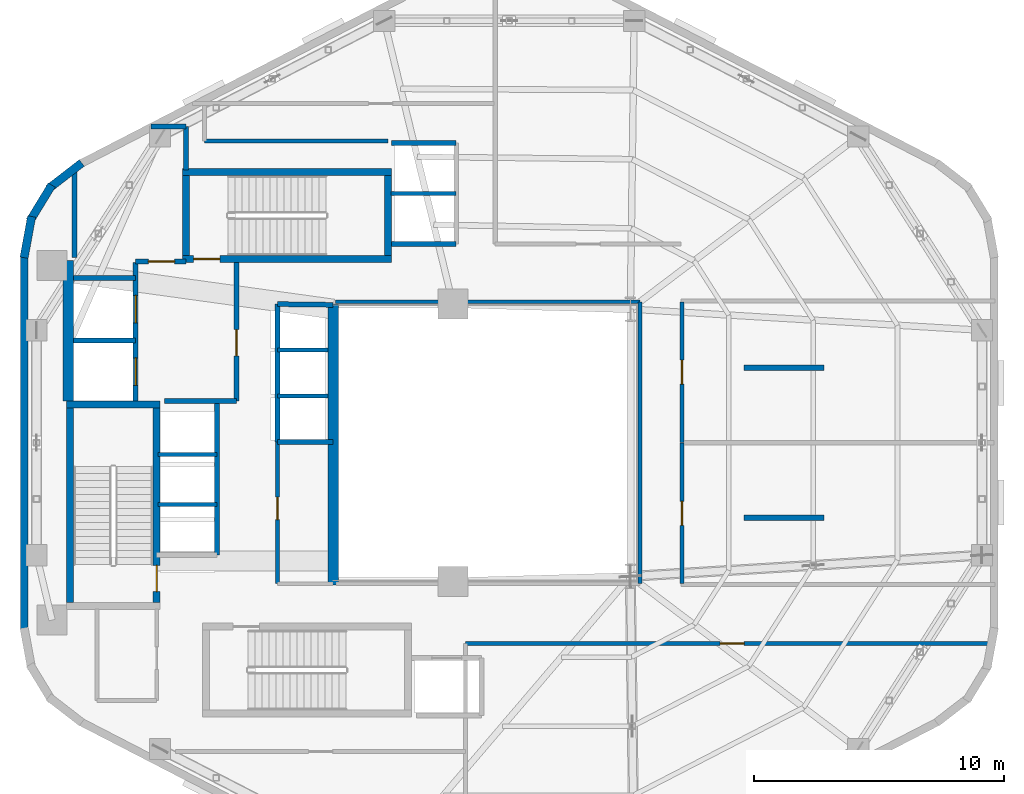
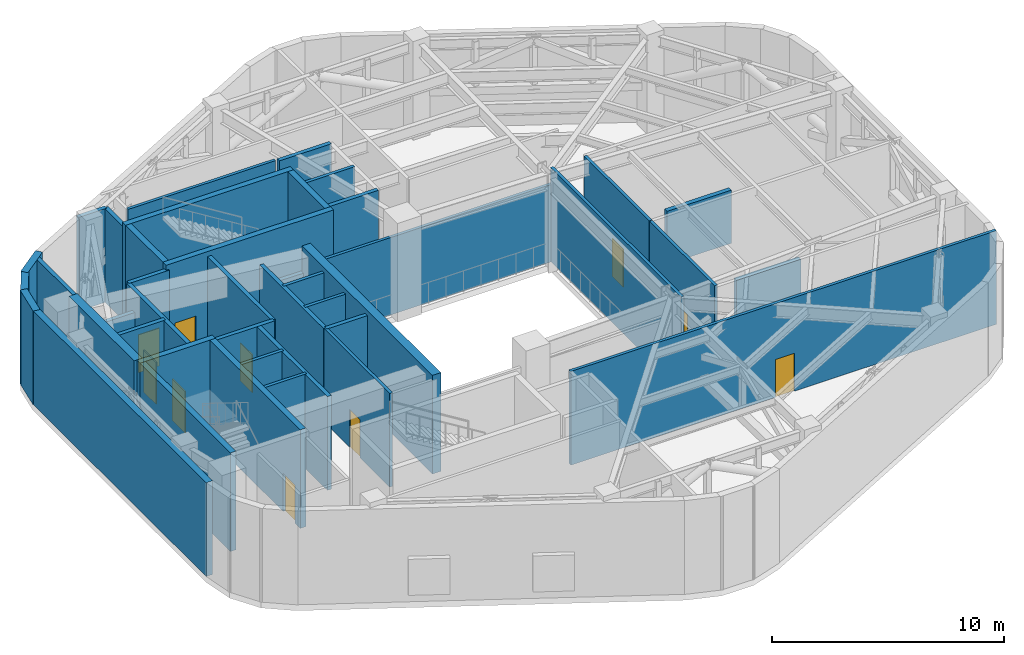
# One storey, part 7 of 10: 42 walls, 10 doors, 10 openings.
"""IFC4 building model written with IfcOpenShell, lengths in metres."""

from ifc_helpers import new_model, si_unit, direction, frame, frame_2d, origin, place, context, subcontext, project, spatial, rectangle, extrude, material, layer, layer_set, type_object, element, fill, save


model = new_model("IFC4")

# Units and contexts
model_context = context("Model", 3, precision=1e-05, world=origin(), true_north=direction((0.0, 1.0)))
body_context = subcontext(model_context, "Body", "Model", "MODEL_VIEW")
ifc_project = project(units=[si_unit("LENGTHUNIT", "METRE"), si_unit("AREAUNIT", "SQUARE_METRE"), si_unit("VOLUMEUNIT", "CUBIC_METRE"), si_unit("PLANEANGLEUNIT", "RADIAN"), si_unit("MASSUNIT", "GRAM", prefix="KILO"), si_unit("THERMODYNAMICTEMPERATUREUNIT", "KELVIN"), si_unit("POWERUNIT", "WATT")], contexts=[model_context])

# Site, building, storey
site_placement = place(None, origin())
site = spatial("IfcSite", under=ifc_project, at=site_placement, CompositionType="ELEMENT")
building_placement = place(site_placement, origin())
building = spatial("IfcBuilding", under=site, at=building_placement, Name="Skarre Station Tower", CompositionType="ELEMENT")
storey_placement = place(building_placement, frame((0.0, 0.0, 191.25)))
storey = spatial("IfcBuildingStorey", under=building, at=storey_placement, Name="L52", CompositionType="ELEMENT", Elevation=191.25)

# Wall, opening, door
ifc_material_1 = material(Name="Acoustic Steel-Stud Gypsum Partition", Category="steel")
ifc_layer_1 = layer(ifc_material_1, 0.14990234375, Name="Acoustic Steel-Stud Gypsum Partition")
ifc_layer_set_1 = layer_set([ifc_layer_1], Name="Acoustic Steel-Stud Gypsum Partition")
wall_type_1 = type_object("IfcWallType", Name="Fire-Rated Corridor Acoustic Partition 150", PredefinedType="PARTITIONING", material=ifc_layer_set_1)
wall_1_placement = place(storey_placement, frame((25.320068359375, 24.02001953125, 0.0), z_axis=(0.0, 0.0, 1.0), x_axis=(0.0, -1.0, 0.0)))
wall_1 = element("IfcWall", 1, at=wall_1_placement, inside=storey, type_object=wall_type_1, Name="L52 Interior Partition WL-PT-L52-RC1-W", PredefinedType="PARTITIONING", context=body_context, shape_type="SweptSolid", body=[
    extrude(rectangle(XDim=5.659912109375, YDim=0.14990234375, at=frame_2d((2.830078125, 0.0))), origin(), (0.0, 0.0, 1.0), 4.93994140625),
])
opening_1_placement = place(wall_1_placement, frame((2.199951171875, 0.0, 0.0)))
opening_1 = element("IfcOpeningElement", 2, at=opening_1_placement, cuts=wall_1, Name="Opening DR-SVC90", PredefinedType="OPENING", context=body_context, shape_type="SweptSolid", body=[
    extrude(rectangle(XDim=0.89990234375, YDim=2.0, at=frame_2d((0.449951171875, 1.0))), frame((0.0, 0.0849609375, 0.0), z_axis=(0.0, -1.0, 0.0), x_axis=(1.0, 0.0, 0.0)), (0.0, 0.0, 1.0), 0.169921875),
])
ifc_material_2 = material(Name="Powder-Coated Hollow-Metal Acoustic Fire Leaf", Category="steel")
door_type_1 = type_object("IfcDoorType", Name="Service & Riser Fire Door FD60 900x2100", OperationType="SINGLE_SWING_LEFT", PredefinedType="DOOR", material=ifc_material_2)
door_1_placement = place(opening_1_placement, origin())
door_1 = element("IfcDoor", 3, at=door_1_placement, inside=storey, type_object=door_type_1, Name="L52 Guest Pantry Door", OperationType="SINGLE_SWING_LEFT", OverallHeight=2.0, OverallWidth=0.89990234375, PredefinedType="DOOR", context=body_context, shape_type="SweptSolid", body=[
    extrude(rectangle(XDim=0.89990234375, YDim=2.0, at=frame_2d((0.449951171875, 1.0))), frame((0.0, 0.02490234375, 0.0), z_axis=(0.0, -1.0, 0.0), x_axis=(1.0, 0.0, 0.0)), (0.0, 0.0, 1.0), 0.050048828125),
])
fill(opening_1, door_1)

# Walls
wall_2_placement = place(storey_placement, frame((39.840087890625, 29.639892578125, 0.0), z_axis=(0.0, 0.0, 1.0), x_axis=(-1.0, 0.0, 0.0)))
element("IfcWall", 4, at=wall_2_placement, inside=storey, type_object=wall_type_1, Name="L52 Interior Partition WL-PT-L52-ATRW-N", PredefinedType="PARTITIONING", context=body_context, shape_type="SweptSolid", body=[
    extrude(rectangle(XDim=12.2001953125, YDim=0.14990234375, at=frame_2d((6.10009765625, 0.0))), origin(), (0.0, 0.0, 1.0), 4.0810546875),
])
wall_3_placement = place(storey_placement, frame((39.840087890625, 18.360107421875, 0.0), z_axis=(0.0, 0.0, 1.0), x_axis=(0.0, 1.0, 0.0)))
element("IfcWall", 5, at=wall_3_placement, inside=storey, type_object=wall_type_1, Name="L52 Interior Partition WL-PT-L52-ATRW-E", PredefinedType="PARTITIONING", context=body_context, shape_type="SweptSolid", body=[
    extrude(rectangle(XDim=11.27978515625, YDim=0.14990234375, at=frame_2d((5.639892578125, 0.0))), origin(), (0.0, 0.0, 1.0), 4.93994140625),
])

# Wall, opening, door
wall_4_placement = place(storey_placement, frame((41.52001953125, 18.360107421875, 0.0), z_axis=(0.0, 0.0, 1.0), x_axis=(0.0, 1.0, 0.0)))
wall_4 = element("IfcWall", 6, at=wall_4_placement, inside=storey, type_object=wall_type_1, Name="L52 Interior Partition WL-PT-L52-PLTE1-CW", PredefinedType="PARTITIONING", context=body_context, shape_type="SweptSolid", body=[
    extrude(rectangle(XDim=5.621826171875, YDim=0.14990234375, at=frame_2d((2.81103515625, 0.0))), origin(), (0.0, 0.0, 1.0), 4.93994140625),
])
opening_2_placement = place(wall_4_placement, frame((2.3310546875, 0.0, 0.0)))
opening_2 = element("IfcOpeningElement", 7, at=opening_2_placement, cuts=wall_4, Name="Opening DR-FD60", PredefinedType="OPENING", context=body_context, shape_type="SweptSolid", body=[
    extrude(rectangle(XDim=0.9599609375, YDim=2.0, at=frame_2d((0.47998046875, 1.0))), frame((0.0, 0.0849609375, 0.0), z_axis=(0.0, -1.0, 0.0), x_axis=(1.0, 0.0, 0.0)), (0.0, 0.0, 1.0), 0.169921875),
])
ifc_material_3 = material(Name="Nordic White-Oak Veneer Solid-Core Fire Leaf", Category="wood")
door_type_2 = type_object("IfcDoorType", Name="Corridor Suite Entry Fire Door FD60 960x2150", OperationType="SINGLE_SWING_LEFT", PredefinedType="DOOR", material=ifc_material_3)
door_2_placement = place(opening_2_placement, origin())
door_2 = element("IfcDoor", 8, at=door_2_placement, inside=storey, type_object=door_type_2, Name="L52 PLTE1 Entry Door", OperationType="SINGLE_SWING_LEFT", OverallHeight=2.0, OverallWidth=0.9599609375, PredefinedType="DOOR", context=body_context, shape_type="SweptSolid", body=[
    extrude(rectangle(XDim=0.9599609375, YDim=2.0, at=frame_2d((0.47998046875, 1.0))), frame((0.0, 0.02490234375, 0.0), z_axis=(0.0, -1.0, 0.0), x_axis=(1.0, 0.0, 0.0)), (0.0, 0.0, 1.0), 0.050048828125),
])
fill(opening_2, door_2)

wall_5_placement = place(storey_placement, frame((41.52001953125, 24.01806640625, 0.0), z_axis=(0.0, 0.0, 1.0), x_axis=(0.0, 1.0, 0.0)))
wall_5 = element("IfcWall", 9, at=wall_5_placement, inside=storey, type_object=wall_type_1, Name="L52 Interior Partition WL-PT-L52-PLTE2-CW", PredefinedType="PARTITIONING", context=body_context, shape_type="SweptSolid", body=[
    extrude(rectangle(XDim=5.621826171875, YDim=0.14990234375, at=frame_2d((2.81103515625, 0.0))), origin(), (0.0, 0.0, 1.0), 4.93994140625),
])
opening_3_placement = place(wall_5_placement, frame((2.3310546875, 0.0, 0.0)))
opening_3 = element("IfcOpeningElement", 10, at=opening_3_placement, cuts=wall_5, Name="Opening DR-FD60", PredefinedType="OPENING", context=body_context, shape_type="SweptSolid", body=[
    extrude(rectangle(XDim=0.9599609375, YDim=2.0, at=frame_2d((0.47998046875, 1.0))), frame((0.0, 0.0849609375, 0.0), z_axis=(0.0, -1.0, 0.0), x_axis=(1.0, 0.0, 0.0)), (0.0, 0.0, 1.0), 0.169921875),
])
door_3_placement = place(opening_3_placement, origin())
door_3 = element("IfcDoor", 11, at=door_3_placement, inside=storey, type_object=door_type_2, Name="L52 PLTE2 Entry Door", OperationType="SINGLE_SWING_LEFT", OverallHeight=2.0, OverallWidth=0.9599609375, PredefinedType="DOOR", context=body_context, shape_type="SweptSolid", body=[
    extrude(rectangle(XDim=0.9599609375, YDim=2.0, at=frame_2d((0.47998046875, 1.0))), frame((0.0, 0.02490234375, 0.0), z_axis=(0.0, -1.0, 0.0), x_axis=(1.0, 0.0, 0.0)), (0.0, 0.0, 1.0), 0.050048828125),
])
fill(opening_3, door_3)

wall_6_placement = place(storey_placement, frame((32.85009765625, 15.9599609375, 0.0), z_axis=(0.0, 0.0, 1.0), x_axis=(1.0, 0.0, 0.0)))
wall_6 = element("IfcWall", 12, at=wall_6_placement, inside=storey, type_object=wall_type_1, Name="L52 Interior Partition WL-PT-L52-PLTS1-CW", PredefinedType="PARTITIONING", context=body_context, shape_type="SweptSolid", body=[
    extrude(rectangle(XDim=21.212890625, YDim=0.14990234375, at=frame_2d((10.6064453125, 0.0))), origin(), (0.0, 0.0, 1.0), 4.93994140625),
])
opening_4_placement = place(wall_6_placement, frame((10.195068359375, 0.0, 0.0)))
opening_4 = element("IfcOpeningElement", 13, at=opening_4_placement, cuts=wall_6, Name="Opening DR-FD60", PredefinedType="OPENING", context=body_context, shape_type="SweptSolid", body=[
    extrude(rectangle(XDim=0.9599609375, YDim=2.0, at=frame_2d((0.47998046875, 1.0))), frame((0.0, 0.0849609375, 0.0), z_axis=(0.0, -1.0, 0.0), x_axis=(1.0, 0.0, 0.0)), (0.0, 0.0, 1.0), 0.169921875),
])
door_4_placement = place(opening_4_placement, origin())
door_4 = element("IfcDoor", 14, at=door_4_placement, inside=storey, type_object=door_type_2, Name="L52 PLTS1 Entry Door", OperationType="SINGLE_SWING_LEFT", OverallHeight=2.0, OverallWidth=0.9599609375, PredefinedType="DOOR", context=body_context, shape_type="SweptSolid", body=[
    extrude(rectangle(XDim=0.9599609375, YDim=2.0, at=frame_2d((0.47998046875, 1.0))), frame((0.0, 0.02490234375, 0.0), z_axis=(0.0, -1.0, 0.0), x_axis=(1.0, 0.0, 0.0)), (0.0, 0.0, 1.0), 0.050048828125),
])
fill(opening_4, door_4)

# Walls
wall_7_placement = place(storey_placement, frame((29.7529296875, 36.080078125, 0.0), z_axis=(0.0, 0.0, 1.0), x_axis=(-1.0, 0.0, 0.0)))
element("IfcWall", 15, at=wall_7_placement, inside=storey, type_object=wall_type_1, Name="L52 Interior Partition WL-PT-L52-CSEAL-1", PredefinedType="PARTITIONING", context=body_context, shape_type="SweptSolid", body=[
    extrude(rectangle(XDim=7.35302734375, YDim=0.14990234375, at=frame_2d((3.676513671875, 0.0))), origin(), (0.0, 0.0, 1.0), 4.93994140625),
])
ifc_material_4 = material(Name="Precast concrete C40/50", Category="concrete")
ifc_layer_2 = layer(ifc_material_4, 0.219970703125, Name="Precast concrete C40/50")
ifc_layer_set_2 = layer_set([ifc_layer_2], Name="Precast concrete C40/50")
wall_type_2 = type_object("IfcWallType", Name="Mechanical Acoustic Enclosure Wall 220", PredefinedType="SOLIDWALL", material=ifc_layer_set_2)
for number, where, z_axis, x_axis, name in (
    (16, (44.0, 21.0, 0.0), (0.0, 0.0, 1.0), (1.0, 0.0, 0.0), "L52 Chiller Acoustic Baffle Wall 1"),
    (17, (44.0, 27.0, 0.0), (0.0, 0.0, 1.0), (1.0, 0.0, 0.0), "L52 Chiller Acoustic Baffle Wall 2"),
):
    element("IfcWall", number, at=place(storey_placement, frame(where, z_axis=z_axis, x_axis=x_axis)), inside=storey, type_object=wall_type_2, Name=name, PredefinedType="SOLIDWALL", context=body_context, shape_type="SweptSolid", body=[
        extrude(rectangle(XDim=3.199951171875, YDim=0.219970703125, at=frame_2d((1.60009765625, 0.0))), origin(), (0.0, 0.0, 1.0), 2.800048828125),
    ])
ifc_material_5 = material(Name="Precast concrete C45/55", Category="concrete")
ifc_layer_3 = layer(ifc_material_5, 0.330078125, Name="Precast concrete C45/55")
ifc_layer_set_3 = layer_set([ifc_layer_3], Name="Precast concrete C45/55")
wall_type_3 = type_object("IfcWallType", Name="Nordic Rounded Corner Precast Wall 330", PredefinedType="STANDARD", material=ifc_layer_set_3)
wall_8_placement = place(storey_placement, frame((15.178955078125, 31.407958984375, 0.0), z_axis=(0.0, 0.0, 1.0), x_axis=(0.180717642671, 0.983535019014, 0.0)))
element("IfcWall", 18, at=wall_8_placement, inside=storey, type_object=wall_type_3, Name="L52 Rounded Corner Precast Wall F2-1", PredefinedType="STANDARD", context=body_context, shape_type="SweptSolid", body=[
    extrude(rectangle(XDim=1.676513671875, YDim=0.330078125, at=frame_2d((0.83837890625, 0.0))), origin(), (0.0, 0.0, 1.0), 4.93994140625),
])
wall_9_placement = place(storey_placement, frame((15.4150390625, 32.882080078125, 0.0), z_axis=(0.0, 0.0, 1.0), x_axis=(0.520325409202, 0.853968072318, 0.0)))
element("IfcWall", 19, at=wall_9_placement, inside=storey, type_object=wall_type_3, Name="L52 Rounded Corner Precast Wall F2-2", PredefinedType="STANDARD", context=body_context, shape_type="SweptSolid", body=[
    extrude(rectangle(XDim=1.677978515625, YDim=0.330078125, at=frame_2d((0.8388671875, 0.0))), origin(), (0.0, 0.0, 1.0), 4.93994140625),
])
wall_10_placement = place(storey_placement, frame((16.162109375, 34.175048828125, 0.0), z_axis=(0.0, 0.0, 1.0), x_axis=(0.791409877269, 0.611285862884, 0.0)))
element("IfcWall", 20, at=wall_10_placement, inside=storey, type_object=wall_type_3, Name="L52 Rounded Corner Precast Wall F2-3", PredefinedType="STANDARD", context=body_context, shape_type="SweptSolid", body=[
    extrude(rectangle(XDim=1.676513671875, YDim=0.330078125, at=frame_2d((0.83837890625, 0.0))), origin(), (0.0, 0.0, 1.0), 4.93994140625),
])
ifc_layer_4 = layer(ifc_material_5, 0.31005859375, Name="Precast concrete C45/55")
ifc_layer_set_4 = layer_set([ifc_layer_4], Name="Precast concrete C45/55")
wall_type_4 = type_object("IfcWallType", Name="Nordic Upper-Zone Precast Facet Wall 310", PredefinedType="STANDARD", material=ifc_layer_set_4)
wall_11_placement = place(storey_placement, frame((15.18310546875, 16.498046875, 0.0), z_axis=(0.0, 0.0, 1.0), x_axis=(0.0, 1.0, 0.0)))
element("IfcWall", 21, at=wall_11_placement, inside=storey, type_object=wall_type_4, Name="L52 Facet 2 Nordic Precast Masonry Wall", PredefinedType="STANDARD", context=body_context, shape_type="SweptSolid", body=[
    extrude(rectangle(XDim=15.00390625, YDim=0.31005859375, at=frame_2d((7.501953125, 0.0))), origin(), (0.0, 0.0, 1.0), 4.93994140625),
])
ifc_material_6 = material(Name="Concrete C50/60", Category="concrete")
ifc_layer_5 = layer(ifc_material_6, 0.280029296875, Name="Concrete C50/60")
ifc_layer_set_5 = layer_set([ifc_layer_5], Name="Concrete C50/60")
wall_type_5 = type_object("IfcWallType", Name="RC Core Shear Wall 280", PredefinedType="SHEAR", material=ifc_layer_set_5)
wall_12_placement = place(storey_placement, frame((20.6298828125, 25.5400390625, 0.0), z_axis=(0.0, 0.0, 1.0), x_axis=(-1.0, 0.0, 0.0)))
element("IfcWall", 22, at=wall_12_placement, inside=storey, type_object=wall_type_5, Name="L52 Stair ST-1 North Shear Wall", PredefinedType="SHEAR", context=body_context, shape_type="SweptSolid", body=[
    extrude(rectangle(XDim=3.759765625, YDim=0.280029296875, at=frame_2d((1.8798828125, 0.0))), origin(), (0.0, 0.0, 1.0), 5.199951171875),
])
wall_13_placement = place(storey_placement, frame((17.010009765625, 25.39990234375, 0.0), z_axis=(0.0, 0.0, 1.0), x_axis=(0.0, -1.0, 0.0)))
element("IfcWall", 23, at=wall_13_placement, inside=storey, type_object=wall_type_5, Name="L52 Stair ST-1 West Shear Wall", PredefinedType="SHEAR", context=body_context, shape_type="SweptSolid", body=[
    extrude(rectangle(XDim=7.7998046875, YDim=0.280029296875, at=frame_2d((3.89990234375, 0.0))), origin(), (0.0, 0.0, 1.0), 5.199951171875),
])

# Wall, opening, door
wall_14_placement = place(storey_placement, frame((20.489990234375, 17.60009765625, 0.0), z_axis=(0.0, 0.0, 1.0), x_axis=(0.0, 1.0, 0.0)))
wall_14 = element("IfcWall", 24, at=wall_14_placement, inside=storey, type_object=wall_type_5, Name="L52 Stair ST-1 East Shear Wall", PredefinedType="SHEAR", context=body_context, shape_type="SweptSolid", body=[
    extrude(rectangle(XDim=7.7998046875, YDim=0.280029296875, at=frame_2d((3.89990234375, 0.0))), origin(), (0.0, 0.0, 1.0), 5.199951171875),
])
opening_5_placement = place(wall_14_placement, frame((0.43994140625, 0.0, 0.0)))
opening_5 = element("IfcOpeningElement", 25, at=opening_5_placement, cuts=wall_14, Name="Opening DR-FD90", PredefinedType="OPENING", context=body_context, shape_type="SweptSolid", body=[
    extrude(rectangle(XDim=1.050048828125, YDim=2.0, at=frame_2d((0.52490234375, 1.0))), frame((0.0, 0.14990234375, 0.0), z_axis=(0.0, -1.0, 0.0), x_axis=(1.0, 0.0, 0.0)), (0.0, 0.0, 1.0), 0.300048828125),
])
ifc_material_7 = material(Name="Fire-Rated Insulated Steel Frame & Timber Core Leaf", Category="steel")
door_type_3 = type_object("IfcDoorType", Name="Stair & FSAE Lobby Fire Door FD90 1050x2150", OperationType="SINGLE_SWING_RIGHT", PredefinedType="DOOR", material=ifc_material_7)
door_5_placement = place(opening_5_placement, origin())
door_5 = element("IfcDoor", 26, at=door_5_placement, inside=storey, type_object=door_type_3, Name="L52 Stair ST-1 Exit Door", OperationType="SINGLE_SWING_RIGHT", OverallHeight=2.0, OverallWidth=1.050048828125, PredefinedType="DOOR", context=body_context, shape_type="SweptSolid", body=[
    extrude(rectangle(XDim=1.050048828125, YDim=2.0, at=frame_2d((0.52490234375, 1.0))), frame((0.0, 0.02490234375, 0.0), z_axis=(0.0, -1.0, 0.0), x_axis=(1.0, 0.0, 0.0)), (0.0, 0.0, 1.0), 0.050048828125),
])
fill(opening_5, door_5)

wall_15_placement = place(storey_placement, frame((21.52001953125, 31.360107421875, 0.0), z_axis=(0.0, 0.0, 1.0), x_axis=(1.0, 0.0, 0.0)))
wall_15 = element("IfcWall", 27, at=wall_15_placement, inside=storey, type_object=wall_type_5, Name="L52 Stair ST-3 South Shear Wall", PredefinedType="SHEAR", context=body_context, shape_type="SweptSolid", body=[
    extrude(rectangle(XDim=8.35986328125, YDim=0.280029296875, at=frame_2d((4.179931640625, 0.0))), origin(), (0.0, 0.0, 1.0), 5.199951171875),
])
opening_6_placement = place(wall_15_placement, frame((0.449951171875, 0.0, 0.0)))
opening_6 = element("IfcOpeningElement", 28, at=opening_6_placement, cuts=wall_15, Name="Opening DR-FD90", PredefinedType="OPENING", context=body_context, shape_type="SweptSolid", body=[
    extrude(rectangle(XDim=1.050048828125, YDim=2.0, at=frame_2d((0.52490234375, 1.0))), frame((0.0, 0.14990234375, 0.0), z_axis=(0.0, -1.0, 0.0), x_axis=(1.0, 0.0, 0.0)), (0.0, 0.0, 1.0), 0.300048828125),
])
door_6_placement = place(opening_6_placement, origin())
door_6 = element("IfcDoor", 29, at=door_6_placement, inside=storey, type_object=door_type_3, Name="L52 Stair ST-3 & FSAE Lobby Direct Exit Door", OperationType="SINGLE_SWING_LEFT", OverallHeight=2.0, OverallWidth=1.050048828125, PredefinedType="DOOR", context=body_context, shape_type="SweptSolid", body=[
    extrude(rectangle(XDim=1.050048828125, YDim=2.0, at=frame_2d((0.52490234375, 1.0))), frame((0.0, 0.02490234375, 0.0), z_axis=(0.0, -1.0, 0.0), x_axis=(1.0, 0.0, 0.0)), (0.0, 0.0, 1.0), 0.050048828125),
])
fill(opening_6, door_6)

# Walls
wall_16_placement = place(storey_placement, frame((29.8798828125, 34.840087890625, 0.0), z_axis=(0.0, 0.0, 1.0), x_axis=(-1.0, 0.0, 0.0)))
element("IfcWall", 30, at=wall_16_placement, inside=storey, type_object=wall_type_5, Name="L52 Stair ST-3 North Shear Wall", PredefinedType="SHEAR", context=body_context, shape_type="SweptSolid", body=[
    extrude(rectangle(XDim=8.35986328125, YDim=0.280029296875, at=frame_2d((4.179931640625, 0.0))), origin(), (0.0, 0.0, 1.0), 5.199951171875),
])
for number, where, z_axis, x_axis, name in (
    (31, (21.659912109375, 34.699951171875, 0.0), (0.0, 0.0, 1.0), (0.0, -1.0, 0.0), "L52 Stair ST-3 West Shear Wall"),
    (32, (29.739990234375, 31.5, 0.0), (0.0, 0.0, 1.0), (0.0, 1.0, 0.0), "L52 Stair ST-3 East Shear Wall"),
):
    element("IfcWall", number, at=place(storey_placement, frame(where, z_axis=z_axis, x_axis=x_axis)), inside=storey, type_object=wall_type_5, Name=name, PredefinedType="SHEAR", context=body_context, shape_type="SweptSolid", body=[
        extrude(rectangle(XDim=3.199951171875, YDim=0.280029296875, at=frame_2d((1.60009765625, 0.0))), origin(), (0.0, 0.0, 1.0), 5.199951171875),
    ])
ifc_material_8 = material(Name="Concrete C60/75", Category="concrete")
ifc_layer_6 = layer(ifc_material_8, 0.419921875, Name="Concrete C60/75")
ifc_layer_set_6 = layer_set([ifc_layer_6], Name="Concrete C60/75")
wall_type_6 = type_object("IfcWallType", Name="RC Core Shear Wall 420", PredefinedType="SHEAR", material=ifc_layer_set_6)
wall_17_placement = place(storey_placement, frame((16.93994140625, 25.679931640625, 0.0), z_axis=(0.0, 0.0, 1.0), x_axis=(0.0, 1.0, 0.0)))
element("IfcWall", 33, at=wall_17_placement, inside=storey, type_object=wall_type_6, Name="L52 Core West-North Shear Wall", PredefinedType="SHEAR", context=body_context, shape_type="SweptSolid", body=[
    extrude(rectangle(XDim=5.6201171875, YDim=0.419921875, at=frame_2d((2.81005859375, 0.0))), origin(), (0.0, 0.0, 1.0), 5.199951171875),
])
wall_18_placement = place(storey_placement, frame((27.550048828125, 29.550048828125, 0.0), z_axis=(0.0, 0.0, 1.0), x_axis=(0.0, -1.0, 0.0)))
element("IfcWall", 34, at=wall_18_placement, inside=storey, type_object=wall_type_6, Name="L52 Core East Atrium Shear Wall", PredefinedType="SHEAR", context=body_context, shape_type="SweptSolid", body=[
    extrude(rectangle(XDim=11.25, YDim=0.419921875, at=frame_2d((5.625, 0.0))), origin(), (0.0, 0.0, 1.0), 5.199951171875),
])

# Wall, openings, doors
ifc_material_9 = material(Name="Gypsum Concrete Shaft Assembly C30/37", Category="concrete")
ifc_layer_7 = layer(ifc_material_9, 0.199951171875, Name="Gypsum Concrete Shaft Assembly C30/37")
ifc_layer_set_7 = layer_set([ifc_layer_7], Name="Gypsum Concrete Shaft Assembly C30/37")
wall_type_7 = type_object("IfcWallType", Name="Shaft & Core Fire Partition 200", PredefinedType="PARTITIONING", material=ifc_layer_set_7)
wall_19_placement = place(storey_placement, frame((19.64990234375, 25.679931640625, 0.0), z_axis=(0.0, 0.0, 1.0), x_axis=(0.0, 1.0, 0.0)))
wall_19 = element("IfcWall", 35, at=wall_19_placement, inside=storey, type_object=wall_type_7, Name="L52 Interior Partition WL-PT-L52-FSAE-W", PredefinedType="PARTITIONING", context=body_context, shape_type="SweptSolid", body=[
    extrude(rectangle(XDim=5.5400390625, YDim=0.199951171875, at=frame_2d((2.77001953125, 0.0))), origin(), (0.0, 0.0, 1.0), 4.93994140625),
])
opening_7_placement = place(wall_19_placement, frame((0.6201171875, 0.0, 0.0)))
opening_7 = element("IfcOpeningElement", 36, at=opening_7_placement, cuts=wall_19, Name="Opening LD-FF1", PredefinedType="OPENING", context=body_context, shape_type="SweptSolid", body=[
    extrude(rectangle(XDim=1.10009765625, YDim=2.199951171875, at=frame_2d((0.550048828125, 1.10009765625))), frame((0.0, 0.10986328125, 0.0), z_axis=(0.0, -1.0, 0.0), x_axis=(1.0, 0.0, 0.0)), (0.0, 0.0, 1.0), 0.219970703125),
])
opening_8_placement = place(wall_19_placement, frame((3.1201171875, 0.0, 0.0)))
opening_8 = element("IfcOpeningElement", 37, at=opening_8_placement, cuts=wall_19, Name="Opening LD-FF2", PredefinedType="OPENING", context=body_context, shape_type="SweptSolid", body=[
    extrude(rectangle(XDim=1.10009765625, YDim=2.199951171875, at=frame_2d((0.550048828125, 1.10009765625))), frame((0.0, 0.10986328125, 0.0), z_axis=(0.0, -1.0, 0.0), x_axis=(1.0, 0.0, 0.0)), (0.0, 0.0, 1.0), 0.219970703125),
])
ifc_material_10 = material(Name="Fire-Rated Stainless Steel Grade 316L Sliding Leaves", Category="steel")
door_type_4 = type_object("IfcDoorType", Name="Fire Service Access Elevator Sliding Landing Door 1100x2200", OperationType="SLIDING_TO_LEFT", PredefinedType="DOOR", material=ifc_material_10)
door_7_placement = place(opening_7_placement, origin())
door_7 = element("IfcDoor", 38, at=door_7_placement, inside=storey, type_object=door_type_4, Name="L52 Firefighting Lift LF-FF1 Landing Door", OperationType="SLIDING_TO_LEFT", OverallHeight=2.199951171875, OverallWidth=1.10009765625, PredefinedType="DOOR", context=body_context, shape_type="SweptSolid", body=[
    extrude(rectangle(XDim=1.10009765625, YDim=2.199951171875, at=frame_2d((0.550048828125, 1.10009765625))), frame((0.0, 0.02490234375, 0.0), z_axis=(0.0, -1.0, 0.0), x_axis=(1.0, 0.0, 0.0)), (0.0, 0.0, 1.0), 0.050048828125),
])
fill(opening_7, door_7)
door_8_placement = place(opening_8_placement, origin())
door_8 = element("IfcDoor", 39, at=door_8_placement, inside=storey, type_object=door_type_4, Name="L52 Firefighting Lift LF-FF2 Landing Door", OperationType="SLIDING_TO_LEFT", OverallHeight=2.199951171875, OverallWidth=1.10009765625, PredefinedType="DOOR", context=body_context, shape_type="SweptSolid", body=[
    extrude(rectangle(XDim=1.10009765625, YDim=2.199951171875, at=frame_2d((0.550048828125, 1.10009765625))), frame((0.0, 0.02490234375, 0.0), z_axis=(0.0, -1.0, 0.0), x_axis=(1.0, 0.0, 0.0)), (0.0, 0.0, 1.0), 0.050048828125),
])
fill(opening_8, door_8)

# Wall
wall_20_placement = place(storey_placement, frame((20.79296875, 25.679931640625, 0.0), z_axis=(0.0, 0.0, 1.0), x_axis=(1.0, 0.0, 0.0)))
element("IfcWall", 40, at=wall_20_placement, inside=storey, type_object=wall_type_7, Name="L52 Interior Partition WL-PT-L52-FSAE-S", PredefinedType="PARTITIONING", context=body_context, shape_type="SweptSolid", body=[
    extrude(rectangle(XDim=2.886962890625, YDim=0.199951171875, at=frame_2d((1.443359375, 0.0))), origin(), (0.0, 0.0, 1.0), 4.93994140625),
])

# Wall, opening, door
wall_21_placement = place(storey_placement, frame((23.679931640625, 25.679931640625, 0.0), z_axis=(0.0, 0.0, 1.0), x_axis=(0.0, 1.0, 0.0)))
wall_21 = element("IfcWall", 41, at=wall_21_placement, inside=storey, type_object=wall_type_7, Name="L52 Interior Partition WL-PT-L52-FSAE-E", PredefinedType="PARTITIONING", context=body_context, shape_type="SweptSolid", body=[
    extrude(rectangle(XDim=5.5400390625, YDim=0.199951171875, at=frame_2d((2.77001953125, 0.0))), origin(), (0.0, 0.0, 1.0), 4.93994140625),
])
opening_9_placement = place(wall_21_placement, frame((1.800048828125, 0.0, 0.0)))
opening_9 = element("IfcOpeningElement", 42, at=opening_9_placement, cuts=wall_21, Name="Opening DR-FD90", PredefinedType="OPENING", context=body_context, shape_type="SweptSolid", body=[
    extrude(rectangle(XDim=1.050048828125, YDim=2.0, at=frame_2d((0.52490234375, 1.0))), frame((0.0, 0.10986328125, 0.0), z_axis=(0.0, -1.0, 0.0), x_axis=(1.0, 0.0, 0.0)), (0.0, 0.0, 1.0), 0.219970703125),
])
door_9_placement = place(opening_9_placement, origin())
door_9 = element("IfcDoor", 43, at=door_9_placement, inside=storey, type_object=door_type_3, Name="L52 FSAE Lobby Fire Door", OperationType="SINGLE_SWING_RIGHT", OverallHeight=2.0, OverallWidth=1.050048828125, PredefinedType="DOOR", context=body_context, shape_type="SweptSolid", body=[
    extrude(rectangle(XDim=1.050048828125, YDim=2.0, at=frame_2d((0.52490234375, 1.0))), frame((0.0, 0.02490234375, 0.0), z_axis=(0.0, -1.0, 0.0), x_axis=(1.0, 0.0, 0.0)), (0.0, 0.0, 1.0), 0.050048828125),
])
fill(opening_9, door_9)

wall_22_placement = place(storey_placement, frame((21.659912109375, 31.260009765625, 0.0), z_axis=(0.0, 0.0, 1.0), x_axis=(-1.0, 0.0, 0.0)))
wall_22 = element("IfcWall", 44, at=wall_22_placement, inside=storey, type_object=wall_type_7, Name="L52 Interior Partition WL-PT-L52-FSAE-N", PredefinedType="PARTITIONING", context=body_context, shape_type="SweptSolid", body=[
    extrude(rectangle(XDim=2.010009765625, YDim=0.199951171875, at=frame_2d((1.0048828125, 0.0))), origin(), (0.0, 0.0, 1.0), 4.93994140625),
])
opening_10_placement = place(wall_22_placement, frame((0.449951171875, 0.0, 0.0)))
opening_10 = element("IfcOpeningElement", 45, at=opening_10_placement, cuts=wall_22, Name="Opening DR-FD90", PredefinedType="OPENING", context=body_context, shape_type="SweptSolid", body=[
    extrude(rectangle(XDim=1.050048828125, YDim=2.0, at=frame_2d((0.52490234375, 1.0))), frame((0.0, 0.10986328125, 0.0), z_axis=(0.0, -1.0, 0.0), x_axis=(1.0, 0.0, 0.0)), (0.0, 0.0, 1.0), 0.219970703125),
])
door_10_placement = place(opening_10_placement, origin())
door_10 = element("IfcDoor", 46, at=door_10_placement, inside=storey, type_object=door_type_3, Name="L52 Area of Refuge Direct Stair Lobby Door", OperationType="SINGLE_SWING_LEFT", OverallHeight=2.0, OverallWidth=1.050048828125, PredefinedType="DOOR", context=body_context, shape_type="SweptSolid", body=[
    extrude(rectangle(XDim=1.050048828125, YDim=2.0, at=frame_2d((0.52490234375, 1.0))), frame((0.0, 0.02490234375, 0.0), z_axis=(0.0, -1.0, 0.0), x_axis=(1.0, 0.0, 0.0)), (0.0, 0.0, 1.0), 0.050048828125),
])
fill(opening_10, door_10)

# Walls
wall_23_placement = place(storey_placement, frame((17.14990234375, 28.10009765625, 0.0), z_axis=(0.0, 0.0, 1.0), x_axis=(1.0, 0.0, 0.0)))
element("IfcWall", 47, at=wall_23_placement, inside=storey, type_object=wall_type_7, Name="L52 Interior Partition WL-PT-L52-FF-DIV", PredefinedType="PARTITIONING", context=body_context, shape_type="SweptSolid", body=[
    extrude(rectangle(XDim=2.5, YDim=0.199951171875, at=frame_2d((1.25, 0.0))), origin(), (0.0, 0.0, 1.0), 4.93994140625),
])
wall_24_placement = place(storey_placement, frame((19.64990234375, 30.60009765625, 0.0), z_axis=(0.0, 0.0, 1.0), x_axis=(-1.0, 0.0, 0.0)))
element("IfcWall", 48, at=wall_24_placement, inside=storey, type_object=wall_type_7, Name="L52 Interior Partition WL-PT-L52-FF-N", PredefinedType="PARTITIONING", context=body_context, shape_type="SweptSolid", body=[
    extrude(rectangle(XDim=2.5, YDim=0.199951171875, at=frame_2d((1.25, 0.0))), origin(), (0.0, 0.0, 1.0), 3.840087890625),
])
for number, where, z_axis, x_axis, name in (
    (49, (29.8798828125, 36.0, 0.0), (0.0, 0.0, 1.0), (1.0, 0.0, 0.0), "L52 Interior Partition WL-PT-L52-EX-N"),
    (50, (32.47998046875, 31.949951171875, 0.0), (0.0, 0.0, 1.0), (-1.0, 0.0, 0.0), "L52 Interior Partition WL-PT-L52-EX-S"),
):
    element("IfcWall", number, at=place(storey_placement, frame(where, z_axis=z_axis, x_axis=x_axis)), inside=storey, type_object=wall_type_7, Name=name, PredefinedType="PARTITIONING", context=body_context, shape_type="SweptSolid", body=[
        extrude(rectangle(XDim=2.60009765625, YDim=0.199951171875, at=frame_2d((1.300048828125, 0.0))), origin(), (0.0, 0.0, 1.0), 4.93994140625),
    ])
wall_25_placement = place(storey_placement, frame((29.875, 33.97998046875, 0.0), z_axis=(0.0, 0.0, 1.0), x_axis=(1.0, 0.0, 0.0)))
element("IfcWall", 51, at=wall_25_placement, inside=storey, type_object=wall_type_7, Name="L52 Interior Partition WL-PT-L52-EX-DIV", PredefinedType="PARTITIONING", context=body_context, shape_type="SweptSolid", body=[
    extrude(rectangle(XDim=2.60498046875, YDim=0.159912109375, at=frame_2d((1.302490234375, 0.0))), origin(), (0.0, 0.0, 1.0), 4.93994140625),
])
wall_26_placement = place(storey_placement, frame((22.89990234375, 19.5, 0.0), z_axis=(0.0, 0.0, 1.0), x_axis=(0.0, 1.0, 0.0)))
element("IfcWall", 52, at=wall_26_placement, inside=storey, type_object=wall_type_7, Name="L52 Interior Partition WL-PT-L52-B3-E", PredefinedType="PARTITIONING", context=body_context, shape_type="SweptSolid", body=[
    extrude(rectangle(XDim=6.0849609375, YDim=0.199951171875, at=frame_2d((3.04248046875, 0.0))), origin(), (0.0, 0.0, 1.0), 4.93994140625),
])
for number, where, z_axis, x_axis, name in (
    (53, (20.550048828125, 21.52001953125, 0.0), (0.0, 0.0, 1.0), (1.0, 0.0, 0.0), "L52 Interior Partition WL-PT-L52-B3-D1"),
    (54, (20.550048828125, 23.52001953125, 0.0), (0.0, 0.0, 1.0), (1.0, 0.0, 0.0), "L52 Interior Partition WL-PT-L52-B3-D2"),
):
    element("IfcWall", number, at=place(storey_placement, frame(where, z_axis=z_axis, x_axis=x_axis)), inside=storey, type_object=wall_type_7, Name=name, PredefinedType="PARTITIONING", context=body_context, shape_type="SweptSolid", body=[
        extrude(rectangle(XDim=2.349853515625, YDim=0.159912109375, at=frame_2d((1.1748046875, 0.0))), origin(), (0.0, 0.0, 1.0), 4.93994140625),
    ])
wall_27_placement = place(storey_placement, frame((25.320068359375, 29.550048828125, 0.0), z_axis=(0.0, 0.0, 1.0), x_axis=(0.0, -1.0, 0.0)))
element("IfcWall", 55, at=wall_27_placement, inside=storey, type_object=wall_type_7, Name="L52 Interior Partition WL-PT-L52-B2-W", PredefinedType="PARTITIONING", context=body_context, shape_type="SweptSolid", body=[
    extrude(rectangle(XDim=5.530029296875, YDim=0.199951171875, at=frame_2d((2.76513671875, 0.0))), origin(), (0.0, 0.0, 1.0), 4.93994140625),
])
wall_28_placement = place(storey_placement, frame((27.550048828125, 29.52001953125, 0.0), z_axis=(0.0, 0.0, 1.0), x_axis=(-0.999909343457, 0.013464949556, 0.0)))
element("IfcWall", 56, at=wall_28_placement, inside=storey, type_object=wall_type_7, Name="L52 Interior Partition WL-PT-L52-B2-N", PredefinedType="PARTITIONING", context=body_context, shape_type="SweptSolid", body=[
    extrude(rectangle(XDim=2.230224609375, YDim=0.199951171875, at=frame_2d((1.115234375, 0.0))), origin(), (0.0, 0.0, 1.0), 3.840087890625),
])
wall_29_placement = place(storey_placement, frame((25.320068359375, 24.02001953125, 0.0), z_axis=(0.0, 0.0, 1.0), x_axis=(1.0, 0.0, 0.0)))
element("IfcWall", 57, at=wall_29_placement, inside=storey, type_object=wall_type_7, Name="L52 Interior Partition WL-PT-L52-B2-S", PredefinedType="PARTITIONING", context=body_context, shape_type="SweptSolid", body=[
    extrude(rectangle(XDim=2.22998046875, YDim=0.199951171875, at=frame_2d((1.114990234375, 0.0))), origin(), (0.0, 0.0, 1.0), 4.93994140625),
])
for number, where, z_axis, x_axis, name in (
    (58, (25.320068359375, 25.8701171875, 0.0), (0.0, 0.0, 1.0), (1.0, 0.0, 0.0), "L52 Interior Partition WL-PT-L52-B2-D258"),
    (59, (25.320068359375, 27.719970703125, 0.0), (0.0, 0.0, 1.0), (1.0, 0.0, 0.0), "L52 Interior Partition WL-PT-L52-B2-D277"),
):
    element("IfcWall", number, at=place(storey_placement, frame(where, z_axis=z_axis, x_axis=x_axis)), inside=storey, type_object=wall_type_7, Name=name, PredefinedType="PARTITIONING", context=body_context, shape_type="SweptSolid", body=[
        extrude(rectangle(XDim=2.030029296875, YDim=0.159912109375, at=frame_2d((1.01513671875, 0.0))), origin(), (0.0, 0.0, 1.0), 4.93994140625),
    ])
wall_30_placement = place(storey_placement, frame((17.199951171875, 35.02099609375, 0.0), z_axis=(0.0, 0.0, 1.0), x_axis=(0.0, -1.0, 0.0)))
element("IfcWall", 60, at=wall_30_placement, inside=storey, type_object=wall_type_7, Name="L52 Interior Partition WL-PT-L52-REF-W", PredefinedType="PARTITIONING", context=body_context, shape_type="SweptSolid", body=[
    extrude(rectangle(XDim=3.60498046875, YDim=0.199951171875, at=frame_2d((1.802490234375, 0.0))), origin(), (0.0, 0.0, 1.0), 4.93994140625),
])
wall_31_placement = place(storey_placement, frame((21.659912109375, 36.64990234375, 0.0), z_axis=(0.0, 0.0, 1.0), x_axis=(-1.0, 0.0, 0.0)))
element("IfcWall", 61, at=wall_31_placement, inside=storey, type_object=wall_type_7, Name="L52 Interior Partition WL-PT-L52-REF-N", PredefinedType="PARTITIONING", context=body_context, shape_type="SweptSolid", body=[
    extrude(rectangle(XDim=1.406005859375, YDim=0.199951171875, at=frame_2d((0.703125, 0.0))), origin(), (0.0, 0.0, 1.0), 4.93994140625),
])
wall_32_placement = place(storey_placement, frame((21.659912109375, 34.9150390625, 0.0), z_axis=(0.0, 0.0, 1.0), x_axis=(0.0, 1.0, 0.0)))
element("IfcWall", 62, at=wall_32_placement, inside=storey, type_object=wall_type_7, Name="L52 Interior Partition WL-PT-L52-REF-E", PredefinedType="PARTITIONING", context=body_context, shape_type="SweptSolid", body=[
    extrude(rectangle(XDim=1.73486328125, YDim=0.199951171875, at=frame_2d((0.867431640625, 0.0))), origin(), (0.0, 0.0, 1.0), 4.93994140625),
])

save(model, "model.ifc")
